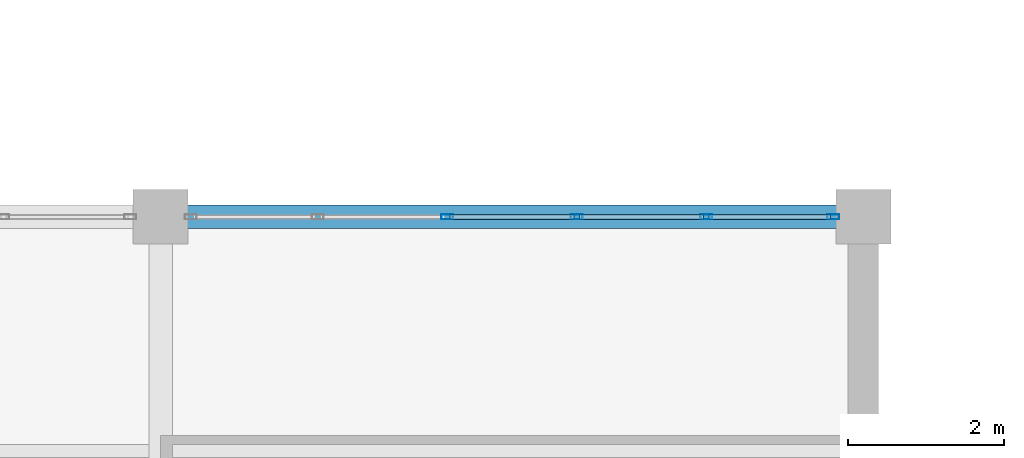
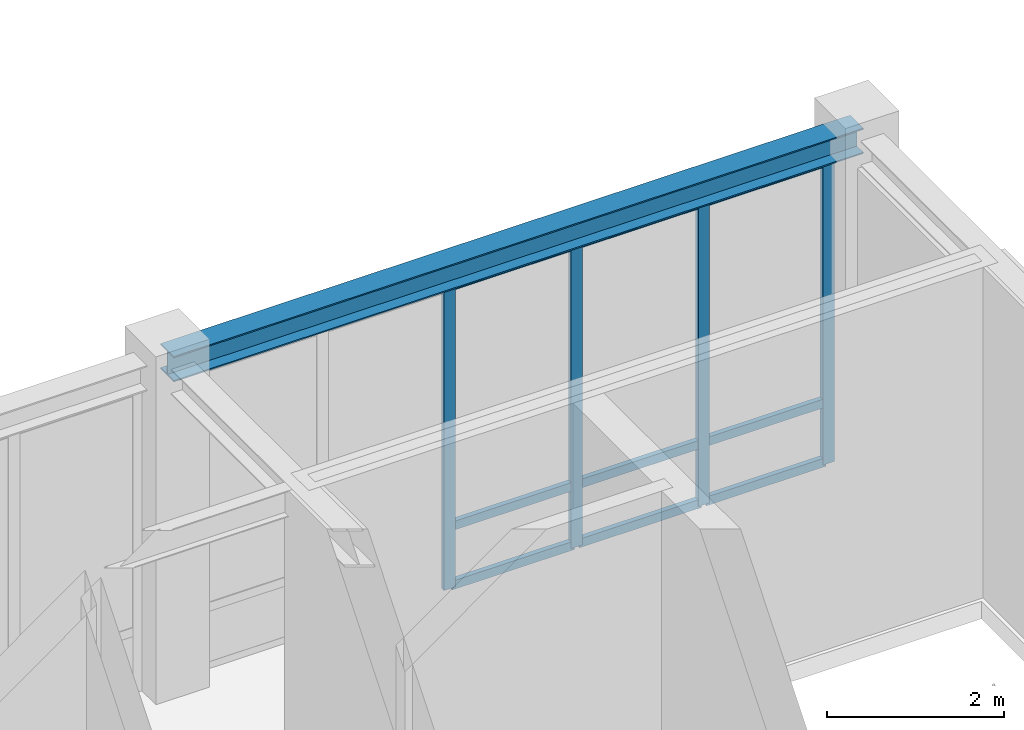
# One storey, part 44 of 92: 13 members, 1 beam, 1 element without a shape of its own.
"""IFC4 building model written with IfcOpenShell, lengths in metres."""

from ifc_helpers import new_model, si_unit, direction, frame, origin, origin_2d, place, context, subcontext, project, spatial, hollow_rectangle, i_section, extrude, material, material_profile, profile_set, type_object, element, aggregate, save


model = new_model("IFC4")

# Units and contexts
model_context = context("Model", 3, precision=1e-05, world=origin(), true_north=direction((0.0, 1.0)))
body_context = subcontext(model_context, "Body", "Model", "MODEL_VIEW")
ifc_project = project(units=[si_unit("LENGTHUNIT", "METRE"), si_unit("AREAUNIT", "SQUARE_METRE"), si_unit("VOLUMEUNIT", "CUBIC_METRE"), si_unit("PLANEANGLEUNIT", "RADIAN"), si_unit("MASSUNIT", "GRAM", prefix="KILO")], contexts=[model_context])

# Site, building, storey
site_placement = place(None, origin())
site = spatial("IfcSite", under=ifc_project, at=site_placement, CompositionType="ELEMENT")
building_placement = place(site_placement, origin())
building = spatial("IfcBuilding", under=site, at=building_placement, Name="Lykobir Media Centre", CompositionType="ELEMENT")
storey_placement = place(building_placement, frame((0.0, 0.0, 5.39990234375)))
storey = spatial("IfcBuildingStorey", under=building, at=storey_placement, Name="L01", CompositionType="ELEMENT", Elevation=5.39990234375)

# Curtain wall, members
ifc_material_1 = material(Name="Anodized Aluminium AW-6060", Category="aluminium")
curtain_wall_type = type_object("IfcCurtainWallType", Name="CW-COURT-A", PredefinedType="NOTDEFINED", material=ifc_material_1)
curtain_wall_placement = place(storey_placement, origin())
curtain_wall = element("IfcCurtainWall", 1, at=curtain_wall_placement, inside=storey, type_object=curtain_wall_type, Name="Curtain wall CW2-L01-0030", PredefinedType="NOTDEFINED")
ifc_material_profile_1 = material_profile(ifc_material_1, hollow_rectangle(XDim=0.06494140625, YDim=0.14990234375, WallThickness=0.00341796875, at=origin_2d()), Name="ALU MULLION 65x150")
ifc_profile_set_1 = profile_set([ifc_material_profile_1], Name="Anodized Aluminium AW-6060")
member_type_1 = type_object("IfcMemberType", Name="CWM-150", PredefinedType="MULLION", material=ifc_profile_set_1)
member_1_placement = place(storey_placement, frame((120.6708984375, 18.0, 0.0), z_axis=(0.0, 0.0, 1.0), x_axis=(0.0, 1.0, 0.0)))
member_1 = element("IfcMember", 2, at=member_1_placement, type_object=member_type_1, Name="CW2-L01-0030 mullion 3", PredefinedType="MULLION", context=body_context, shape_type="SweptSolid", body=[
    extrude(hollow_rectangle(XDim=0.06494140625, YDim=0.14990234375, WallThickness=0.00341796875, at=origin_2d()), origin(), (0.0, 0.0, 1.0), 4.195068359375),
])
member_2_placement = place(storey_placement, frame((122.3291015625, 18.0, 0.0), z_axis=(0.0, 0.0, 1.0), x_axis=(0.0, 1.0, 0.0)))
member_2 = element("IfcMember", 3, at=member_2_placement, type_object=member_type_1, Name="CW2-L01-0030 mullion 4", PredefinedType="MULLION", context=body_context, shape_type="SweptSolid", body=[
    extrude(hollow_rectangle(XDim=0.06494140625, YDim=0.14990234375, WallThickness=0.00341796875, at=origin_2d()), origin(), (0.0, 0.0, 1.0), 4.195068359375),
])
member_3_placement = place(storey_placement, frame((123.987060546875, 18.0, 0.0), z_axis=(0.0, 0.0, 1.0), x_axis=(0.0, 1.0, 0.0)))
member_3 = element("IfcMember", 4, at=member_3_placement, type_object=member_type_1, Name="CW2-L01-0030 mullion 5", PredefinedType="MULLION", context=body_context, shape_type="SweptSolid", body=[
    extrude(hollow_rectangle(XDim=0.06494140625, YDim=0.14990234375, WallThickness=0.00341796875, at=origin_2d()), origin(), (0.0, 0.0, 1.0), 4.195068359375),
])
member_4_placement = place(storey_placement, frame((125.612548828125, 18.0, 0.0), z_axis=(0.0, 0.0, 1.0), x_axis=(0.0, 1.0, 0.0)))
member_4 = element("IfcMember", 5, at=member_4_placement, type_object=member_type_1, Name="CW2-L01-0030 mullion 6", PredefinedType="MULLION", context=body_context, shape_type="SweptSolid", body=[
    extrude(hollow_rectangle(XDim=0.06494140625, YDim=0.14990234375, WallThickness=0.00341796875, at=origin_2d()), origin(), (0.0, 0.0, 1.0), 4.195068359375),
])
ifc_material_profile_2 = material_profile(ifc_material_1, hollow_rectangle(XDim=0.06494140625, YDim=0.1201171875, WallThickness=0.0029296875, at=origin_2d()), Name="ALU TRANSOM 65x120")
ifc_profile_set_2 = profile_set([ifc_material_profile_2], Name="Anodized Aluminium AW-6060")
member_type_2 = type_object("IfcMemberType", Name="CWT-120", PredefinedType="USERDEFINED", material=ifc_profile_set_2)
member_5_placement = place(storey_placement, frame((120.70361328125, 18.0, 0.03271484375), z_axis=(1.0, 0.0, 0.0), x_axis=(0.0, 1.0, 0.0)))
member_5 = element("IfcMember", 6, at=member_5_placement, type_object=member_type_2, Name="CW2-L01-0030 transom 3.1", ObjectType="TRANSOM", PredefinedType="USERDEFINED", context=body_context, shape_type="SweptSolid", body=[
    extrude(hollow_rectangle(XDim=0.06494140625, YDim=0.1201171875, WallThickness=0.0029296875, at=origin_2d()), origin(), (0.0, 0.0, 1.0), 1.5927734375),
])
member_6_placement = place(storey_placement, frame((120.70361328125, 18.0, 0.85009765625), z_axis=(1.0, 0.0, 0.0), x_axis=(0.0, 1.0, 0.0)))
member_6 = element("IfcMember", 7, at=member_6_placement, type_object=member_type_2, Name="CW2-L01-0030 transom 3.2", ObjectType="TRANSOM", PredefinedType="USERDEFINED", context=body_context, shape_type="SweptSolid", body=[
    extrude(hollow_rectangle(XDim=0.06494140625, YDim=0.1201171875, WallThickness=0.0029296875, at=origin_2d()), origin(), (0.0, 0.0, 1.0), 1.5927734375),
])
member_7_placement = place(storey_placement, frame((120.70361328125, 18.0, 4.16259765625), z_axis=(1.0, 0.0, 0.0), x_axis=(0.0, 1.0, 0.0)))
member_7 = element("IfcMember", 8, at=member_7_placement, type_object=member_type_2, Name="CW2-L01-0030 transom 3.3", ObjectType="TRANSOM", PredefinedType="USERDEFINED", context=body_context, shape_type="SweptSolid", body=[
    extrude(hollow_rectangle(XDim=0.06494140625, YDim=0.1201171875, WallThickness=0.0029296875, at=origin_2d()), origin(), (0.0, 0.0, 1.0), 1.5927734375),
])
member_8_placement = place(storey_placement, frame((122.361572265625, 18.0, 0.03271484375), z_axis=(1.0, 0.0, 0.0), x_axis=(0.0, 1.0, 0.0)))
member_8 = element("IfcMember", 9, at=member_8_placement, type_object=member_type_2, Name="CW2-L01-0030 transom 4.1", ObjectType="TRANSOM", PredefinedType="USERDEFINED", context=body_context, shape_type="SweptSolid", body=[
    extrude(hollow_rectangle(XDim=0.06494140625, YDim=0.1201171875, WallThickness=0.0029296875, at=origin_2d()), origin(), (0.0, 0.0, 1.0), 1.593017578125),
])
member_9_placement = place(storey_placement, frame((122.361572265625, 18.0, 0.85009765625), z_axis=(1.0, 0.0, 0.0), x_axis=(0.0, 1.0, 0.0)))
member_9 = element("IfcMember", 10, at=member_9_placement, type_object=member_type_2, Name="CW2-L01-0030 transom 4.2", ObjectType="TRANSOM", PredefinedType="USERDEFINED", context=body_context, shape_type="SweptSolid", body=[
    extrude(hollow_rectangle(XDim=0.06494140625, YDim=0.1201171875, WallThickness=0.0029296875, at=origin_2d()), origin(), (0.0, 0.0, 1.0), 1.593017578125),
])
member_10_placement = place(storey_placement, frame((122.361572265625, 18.0, 4.16259765625), z_axis=(1.0, 0.0, 0.0), x_axis=(0.0, 1.0, 0.0)))
member_10 = element("IfcMember", 11, at=member_10_placement, type_object=member_type_2, Name="CW2-L01-0030 transom 4.3", ObjectType="TRANSOM", PredefinedType="USERDEFINED", context=body_context, shape_type="SweptSolid", body=[
    extrude(hollow_rectangle(XDim=0.06494140625, YDim=0.1201171875, WallThickness=0.0029296875, at=origin_2d()), origin(), (0.0, 0.0, 1.0), 1.593017578125),
])
member_11_placement = place(storey_placement, frame((124.01953125, 18.0, 0.03271484375), z_axis=(1.0, 0.0, 0.0), x_axis=(0.0, 1.0, 0.0)))
member_11 = element("IfcMember", 12, at=member_11_placement, type_object=member_type_2, Name="CW2-L01-0030 transom 5.1", ObjectType="TRANSOM", PredefinedType="USERDEFINED", context=body_context, shape_type="SweptSolid", body=[
    extrude(hollow_rectangle(XDim=0.06494140625, YDim=0.1201171875, WallThickness=0.0029296875, at=origin_2d()), origin(), (0.0, 0.0, 1.0), 1.560546875),
])
member_12_placement = place(storey_placement, frame((124.01953125, 18.0, 0.85009765625), z_axis=(1.0, 0.0, 0.0), x_axis=(0.0, 1.0, 0.0)))
member_12 = element("IfcMember", 13, at=member_12_placement, type_object=member_type_2, Name="CW2-L01-0030 transom 5.2", ObjectType="TRANSOM", PredefinedType="USERDEFINED", context=body_context, shape_type="SweptSolid", body=[
    extrude(hollow_rectangle(XDim=0.06494140625, YDim=0.1201171875, WallThickness=0.0029296875, at=origin_2d()), origin(), (0.0, 0.0, 1.0), 1.560546875),
])
member_13_placement = place(storey_placement, frame((124.01953125, 18.0, 4.16259765625), z_axis=(1.0, 0.0, 0.0), x_axis=(0.0, 1.0, 0.0)))
member_13 = element("IfcMember", 14, at=member_13_placement, type_object=member_type_2, Name="CW2-L01-0030 transom 5.3", ObjectType="TRANSOM", PredefinedType="USERDEFINED", context=body_context, shape_type="SweptSolid", body=[
    extrude(hollow_rectangle(XDim=0.06494140625, YDim=0.1201171875, WallThickness=0.0029296875, at=origin_2d()), origin(), (0.0, 0.0, 1.0), 1.560546875),
])
aggregate(curtain_wall, [member_1, member_2, member_3, member_4, member_5, member_6, member_7, member_8, member_9, member_10, member_11, member_12, member_13])

# Beam
ifc_material_2 = material(Name="Steel S355", Category="steel")
ifc_material_profile_3 = material_profile(ifc_material_2, i_section(OverallWidth=0.300048828125, OverallDepth=0.35009765625, WebThickness=0.010009765625, FlangeThickness=0.017578125, at=origin_2d()), Name="HEA 360")
ifc_profile_set_3 = profile_set([ifc_material_profile_3], Name="Steel S355")
beam_type = type_object("IfcBeamType", Name="SP-HEA360", PredefinedType="SPANDREL", material=ifc_profile_set_3)
beam_placement = place(storey_placement, frame((117.0, 18.0, 4.385009765625), z_axis=(1.0, 0.0, 0.0), x_axis=(0.0, 1.0, 0.0)))
element("IfcBeam", 15, at=beam_placement, inside=storey, type_object=beam_type, Name="Beam BM-L01-1170-0180-1260-0180-978", PredefinedType="SPANDREL", context=body_context, shape_type="SweptSolid", body=[
    extrude(i_section(OverallWidth=0.300048828125, OverallDepth=0.35009765625, WebThickness=0.010009765625, FlangeThickness=0.017578125, at=origin_2d()), origin(), (0.0, 0.0, 1.0), 9.0),
])

save(model, "model.ifc")
